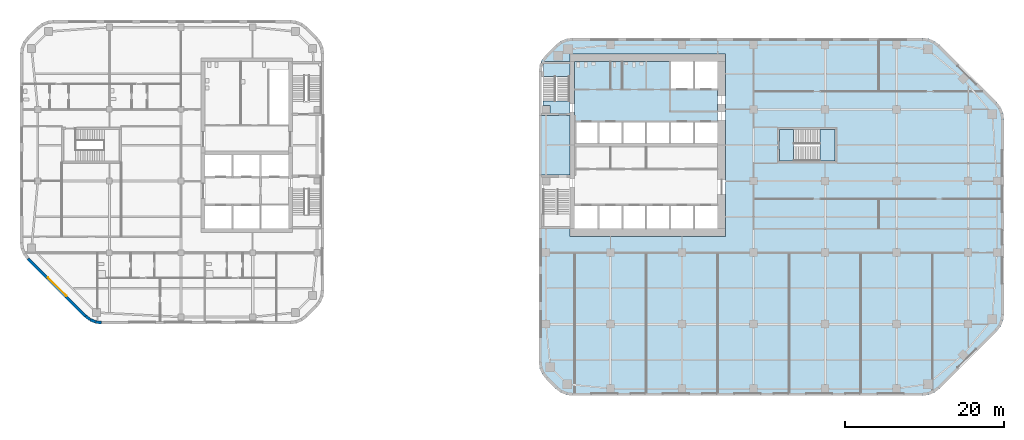
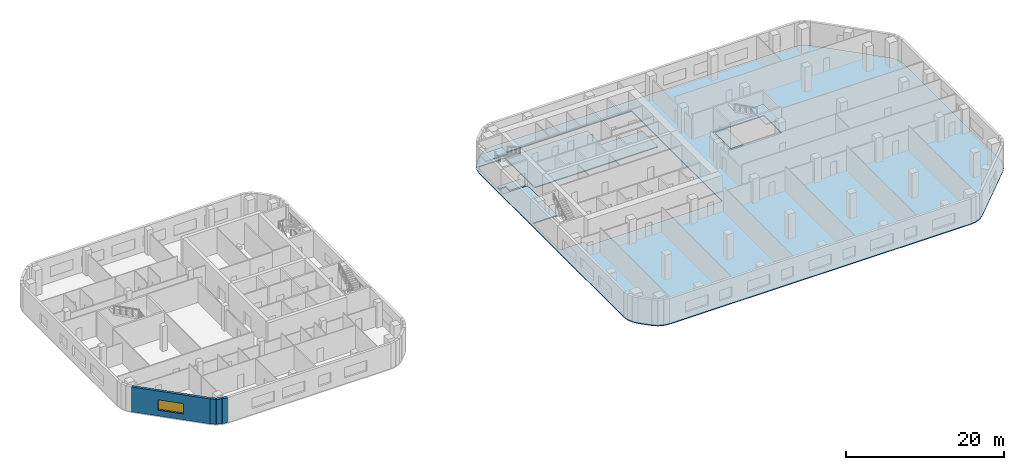
# One storey, part 4 of 15: 6 slabs, 4 walls, 1 window, 1 opening, 2 elements without a shape of their own.
"""IFC4 building model written with IfcOpenShell, lengths in metres."""

from ifc_helpers import new_model, si_unit, direction, frame, frame_2d, origin, place, context, subcontext, project, spatial, polyline, rectangle, outline, extrude, material, layer, layer_set, type_object, element, fill, aggregate, save


model = new_model("IFC4")

# Units and contexts
model_context = context("Model", 3, precision=1e-05, world=origin(), true_north=direction((0.0, 1.0)))
body_context = subcontext(model_context, "Body", "Model", "MODEL_VIEW")
ifc_project = project(units=[si_unit("LENGTHUNIT", "METRE"), si_unit("AREAUNIT", "SQUARE_METRE"), si_unit("VOLUMEUNIT", "CUBIC_METRE"), si_unit("PLANEANGLEUNIT", "RADIAN"), si_unit("MASSUNIT", "GRAM", prefix="KILO")], contexts=[model_context])

# Site, building, storey
site_placement = place(None, origin())
site = spatial("IfcSite", under=ifc_project, at=site_placement, CompositionType="ELEMENT")
building_placement = place(site_placement, origin())
building = spatial("IfcBuilding", under=site, at=building_placement, Name="Cinnabar Reach Civic Tower", CompositionType="ELEMENT")
storey_placement = place(building_placement, frame((0.0, 0.0, 87.0)))
storey = spatial("IfcBuildingStorey", under=building, at=storey_placement, Name="L20", CompositionType="ELEMENT", Elevation=87.0)

# Slab
ifc_material_1 = material(Name="Concrete C40", Category="concrete")
ifc_layer_1 = layer(ifc_material_1, 0.15)
ifc_layer_set_1 = layer_set([ifc_layer_1], Name="Composite floor slab 150 REI 150")
slab_type_1 = type_object("IfcSlabType", Name="Composite floor slab 150 REI 150", PredefinedType="FLOOR", material=ifc_layer_set_1)
slab_1_placement = place(storey_placement, frame((0.0, 0.0, -0.15)))
element("IfcSlab", 1, at=slab_1_placement, inside=storey, type_object=slab_type_1, Name="Composite floor slab 150 T1 L20", PredefinedType="FLOOR", context=body_context, shape_type="SweptSolid", body=[
    extrude(outline(polyline([(0.8787, 2.1213), (0.4019, 2.7426), (0.1022, 3.4662), (0.0, 4.2426), (0.0, 40.7574), (0.1022, 41.5338), (0.4019, 42.2574), (0.8787, 42.8787), (2.1213, 44.1213), (2.7426, 44.5981), (3.4662, 44.8978), (4.2426, 45.0), (48.2574, 45.0), (49.0338, 44.8978), (49.7574, 44.5981), (50.3787, 44.1213), (57.6213, 36.8787), (58.0981, 36.2574), (58.3978, 35.5338), (58.5, 34.7574), (58.5, 10.2426), (58.3978, 9.4662), (58.0981, 8.7426), (57.6213, 8.1213), (50.3787, 0.8787), (49.7574, 0.4019), (49.0338, 0.1022), (48.2574, 0.0), (4.2426, 0.0), (3.4662, 0.1022), (2.7426, 0.4019), (2.1213, 0.8787), (0.8787, 2.1213)]), holes=[polyline([(0.36, 21.0), (3.9, 21.0), (3.9, 20.0), (23.5, 20.0), (23.5, 43.0), (3.9, 43.0), (3.9, 42.0), (0.685, 42.0), (0.453, 41.4398), (0.36, 40.7338), (0.36, 35.25), (3.9, 35.25), (3.9, 27.75), (0.36, 27.75), (0.36, 21.0)]), polyline([(30.0, 33.75), (30.0, 29.25), (37.5, 29.25), (37.5, 33.75), (30.0, 33.75)])]), origin(), (0.0, 0.0, 1.0), 0.15),
])

# Stair, slabs
ifc_material_2 = material(Name="Concrete C40/50", Category="concrete")
stair_type = type_object("IfcStairType", Name="T1 Exit stair, half-turn", PredefinedType="HALF_TURN_STAIR", material=ifc_material_2)
stair_1_placement = place(storey_placement, origin())
stair_1 = element("IfcStair", 2, at=stair_1_placement, inside=storey, type_object=stair_type, Name="Stair T1-S2", PredefinedType="HALF_TURN_STAIR")
ifc_layer_2 = layer(ifc_material_2, 0.2)
ifc_layer_set_2 = layer_set([ifc_layer_2], Name="T1 Stair landing 200, Concrete C40/50")
slab_type_2 = type_object("IfcSlabType", Name="T1 Stair landing 200, Concrete C40/50", PredefinedType="LANDING", material=ifc_layer_set_2)
slab_2_placement = place(storey_placement, frame((0.0, 0.0, -0.2)))
slab_2 = element("IfcSlab", 3, at=slab_2_placement, type_object=slab_type_2, Name="T1-S2 landing 1", PredefinedType="LANDING", context=body_context, shape_type="SweptSolid", body=[
    extrude(outline(polyline([(0.5, 37.05), (3.9, 37.05), (3.9, 35.5), (1.4, 35.5), (1.4, 36.5), (0.5, 36.5), (0.5, 37.05)])), origin(), (0.0, 0.0, 1.0), 0.2),
])
slab_3_placement = place(storey_placement, frame((0.0, 0.0, 1.8)))
slab_3 = element("IfcSlab", 4, at=slab_3_placement, type_object=slab_type_2, Name="T1-S2 landing 2", PredefinedType="LANDING", context=body_context, shape_type="SweptSolid", body=[
    extrude(outline(polyline([(0.6, 40.13), (0.6, 41.75), (3.9, 41.75), (3.9, 40.13), (0.6, 40.13)])), origin(), (0.0, 0.0, 1.0), 0.2),
])
aggregate(stair_1, [slab_2, slab_3])

stair_2_placement = place(storey_placement, origin())
stair_2 = element("IfcStair", 5, at=stair_2_placement, inside=storey, type_object=stair_type, Name="Stair T1-S3", PredefinedType="HALF_TURN_STAIR")
slab_4_placement = place(storey_placement, frame((0.0, 0.0, -0.2)))
slab_4 = element("IfcSlab", 6, at=slab_4_placement, type_object=slab_type_2, Name="T1-S3 landing 1", PredefinedType="LANDING", context=body_context, shape_type="SweptSolid", body=[
    extrude(outline(polyline([(30.25, 29.5), (32.05, 29.5), (32.05, 33.5), (30.25, 33.5), (30.25, 29.5)])), origin(), (0.0, 0.0, 1.0), 0.2),
])
slab_5_placement = place(storey_placement, frame((0.0, 0.0, 1.8)))
slab_5 = element("IfcSlab", 7, at=slab_5_placement, type_object=slab_type_2, Name="T1-S3 landing 2", PredefinedType="LANDING", context=body_context, shape_type="SweptSolid", body=[
    extrude(outline(polyline([(35.35, 29.5), (37.25, 29.5), (37.25, 33.5), (35.35, 33.5), (35.35, 29.5)])), origin(), (0.0, 0.0, 1.0), 0.2),
])
aggregate(stair_2, [slab_4, slab_5])

# Slab
ifc_layer_3 = layer(ifc_material_2, 0.15)
ifc_layer_set_3 = layer_set([ifc_layer_3], Name="T1 core floor slab 150")
slab_type_3 = type_object("IfcSlabType", Name="T1 core floor slab 150", PredefinedType="FLOOR", material=ifc_layer_set_3)
slab_6_placement = place(storey_placement, frame((0.0, 0.0, -0.15)))
element("IfcSlab", 8, at=slab_6_placement, inside=storey, type_object=slab_type_3, Name="Core floor slab L20", PredefinedType="FLOOR", context=body_context, shape_type="SweptSolid", body=[
    extrude(outline(polyline([(22.5, 34.5), (19.5, 34.5), (16.5, 34.5), (13.5, 34.5), (10.5, 34.5), (7.5, 34.5), (4.5, 34.5), (4.5, 42.0), (16.5, 42.0), (16.5, 38.5), (19.5, 38.5), (22.5, 38.5), (22.5, 34.5)])), origin(), (0.0, 0.0, 1.0), 0.15),
])

# Walls
ifc_material_3 = material(Name="Facing brick with insulated backing", Category="masonry")
ifc_layer_4 = layer(ifc_material_3, 0.36)
ifc_layer_set_4 = layer_set([ifc_layer_4], Name="Brick corner wall")
wall_type_1 = type_object("IfcWallType", Name="Brick corner wall", PredefinedType="STANDARD", material=ifc_layer_set_4)
wall_1_placement = place(storey_placement, frame((-56.9913, 10.0002, 0.0), z_axis=(0.0, 0.0, 1.0), x_axis=(0.793321924995, -0.608802368033, 0.0)))
element("IfcWall", 9, at=wall_1_placement, inside=storey, type_object=wall_type_1, Name="Brick corner wall", PredefinedType="STANDARD", context=body_context, shape_type="SweptSolid", body=[
    extrude(rectangle(XDim=0.7132, YDim=0.36, at=frame_2d((0.3566, 0.0))), origin(), (0.0, 0.0, 1.0), 3.85),
])
for number, where, z_axis, x_axis, name in (
    (10, (-56.4061, 9.5548, 0.0), (0.0, 0.0, 1.0), (0.923871547278, -0.382702709855, 0.0), "Brick corner wall"),
    (11, (-55.7256, 9.2761, 0.0), (0.0, 0.0, 1.0), (0.99144092581, -0.13055608231, 0.0), "Brick corner wall"),
):
    element("IfcWall", number, at=place(storey_placement, frame(where, z_axis=z_axis, x_axis=x_axis)), inside=storey, type_object=wall_type_1, Name=name, PredefinedType="STANDARD", context=body_context, shape_type="SweptSolid", body=[
        extrude(rectangle(XDim=0.7131, YDim=0.36, at=frame_2d((0.3565, 0.0))), origin(), (0.0, 0.0, 1.0), 3.85),
    ])

# Wall, opening, window
ifc_layer_5 = layer(ifc_material_3, 0.36)
ifc_layer_set_5 = layer_set([ifc_layer_5], Name="Brick pier and spandrel wall")
wall_type_2 = type_object("IfcWallType", Name="Brick pier and spandrel wall", PredefinedType="STANDARD", material=ifc_layer_set_5)
wall_2_placement = place(storey_placement, frame((-64.244, 17.2486, 0.0), z_axis=(0.0, 0.0, 1.0), x_axis=(0.707106781187, -0.707106781187, 0.0)))
wall_2 = element("IfcWall", 12, at=wall_2_placement, inside=storey, type_object=wall_type_2, Name="Brick facade wall", PredefinedType="STANDARD", context=body_context, shape_type="SweptSolid", body=[
    extrude(rectangle(XDim=10.2426, YDim=0.36, at=frame_2d((5.1213, 0.0))), origin(), (0.0, 0.0, 1.0), 3.85),
])
opening_placement = place(wall_2_placement, frame((3.4713, 0.0, 0.9)))
opening = element("IfcOpeningElement", 13, at=opening_placement, cuts=wall_2, Name="Opening W2636", PredefinedType="OPENING", context=body_context, shape_type="SweptSolid", body=[
    extrude(rectangle(XDim=3.3, YDim=1.6, at=frame_2d((1.65, 0.8))), frame((0.0, 0.19, 0.0), z_axis=(0.0, -1.0, 0.0), x_axis=(1.0, 0.0, 0.0)), (0.0, 0.0, 1.0), 0.38),
])
ifc_material_4 = material(Name="Clear double glazing in aluminium frame", Category="aluminium")
window_type = type_object("IfcWindowType", Name="Deep-set window A", PartitioningType="SINGLE_PANEL", PredefinedType="WINDOW", material=ifc_material_4)
window_placement = place(opening_placement, origin())
window = element("IfcWindow", 14, at=window_placement, inside=storey, type_object=window_type, Name="Window southwest face", OverallHeight=1.6, OverallWidth=3.3, PartitioningType="SINGLE_PANEL", PredefinedType="WINDOW", context=body_context, shape_type="SweptSolid", body=[
    extrude(rectangle(XDim=3.3, YDim=1.6, at=frame_2d((1.65, 0.8))), frame((0.0, 0.13, 0.0), z_axis=(0.0, -1.0, 0.0), x_axis=(1.0, 0.0, 0.0)), (0.0, 0.0, 1.0), 0.06),
])
fill(opening, window)

save(model, "model.ifc")
